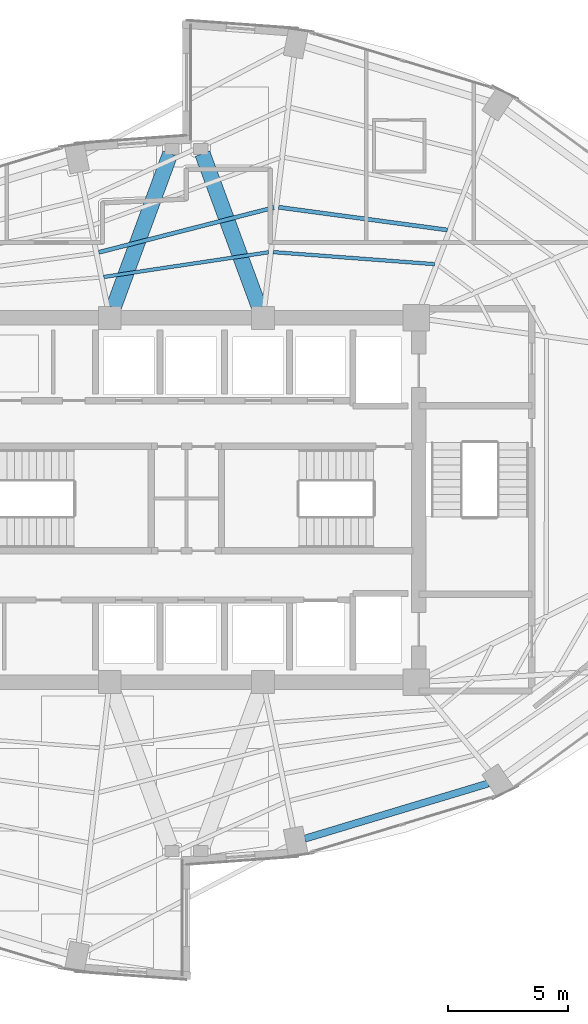
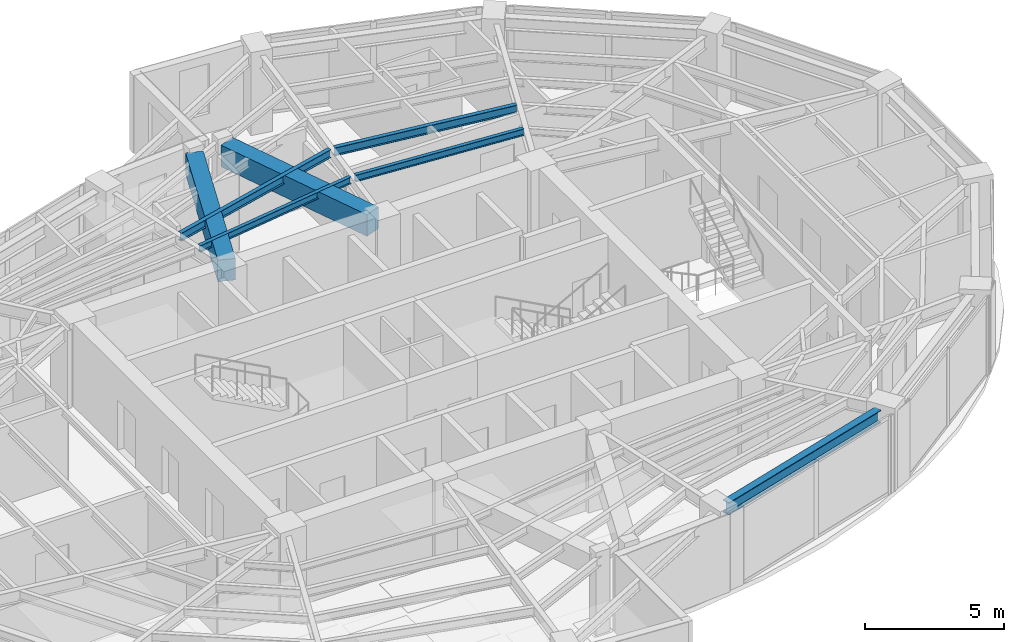
# One storey, part 8 of 20: 7 beams.
"""IFC4 building model written with IfcOpenShell, lengths in metres."""

from ifc_helpers import new_model, si_unit, direction, frame, origin, origin_2d, place, context, subcontext, project, spatial, rectangle, i_section, extrude, material, material_profile, profile_set, type_object, element, save


model = new_model("IFC4")

# Units and contexts
model_context = context("Model", 3, precision=1e-05, world=origin(), true_north=direction((0.0, 1.0)))
body_context = subcontext(model_context, "Body", "Model", "MODEL_VIEW")
ifc_project = project(units=[si_unit("LENGTHUNIT", "METRE"), si_unit("AREAUNIT", "SQUARE_METRE"), si_unit("VOLUMEUNIT", "CUBIC_METRE"), si_unit("PLANEANGLEUNIT", "RADIAN"), si_unit("MASSUNIT", "GRAM", prefix="KILO")], contexts=[model_context])

# Site, building, storey
site_placement = place(None, origin())
site = spatial("IfcSite", under=ifc_project, at=site_placement, CompositionType="ELEMENT")
building_placement = place(site_placement, origin())
building = spatial("IfcBuilding", under=site, at=building_placement, Name="Lazwardi Medical Tower", CompositionType="ELEMENT")
storey_placement = place(building_placement, frame((0.0, 0.0, 141.93603515625)))
storey = spatial("IfcBuildingStorey", under=building, at=storey_placement, Name="L36", CompositionType="ELEMENT", Elevation=141.93603515625)

# Beams
ifc_material_1 = material(Name="Concrete C60/75", Category="concrete")
ifc_material_profile_1 = material_profile(ifc_material_1, rectangle(XDim=0.64990234375, YDim=0.949951171875, at=origin_2d()), Name="RC 650x950")
ifc_profile_set_1 = profile_set([ifc_material_profile_1], Name="Concrete C60/75")
beam_type_1 = type_object("IfcBeamType", Name="BM-CB-RC2", PredefinedType="LINTEL", material=ifc_profile_set_1)
for number, where, z_axis, x_axis, name in (
    (1, (32.959228515625, 36.031494140625, 2.952880859375), (0.34601281054, 0.938229787921, 0.0), (-0.938229787921, 0.34601281054, 0.0), "Core coupling lintel CB-02 PL1 L36"),
    (2, (39.040771484375, 36.031494140625, 2.952880859375), (-0.34601281054, 0.938229787921, 0.0), (-0.938229787921, -0.34601281054, 0.0), "Core coupling lintel CB-02 PL2 L36"),
):
    element("IfcBeam", number, at=place(storey_placement, frame(where, z_axis=z_axis, x_axis=x_axis)), inside=storey, type_object=beam_type_1, Name=name, PredefinedType="LINTEL", context=body_context, shape_type="SweptSolid", body=[
        extrude(rectangle(XDim=0.64990234375, YDim=0.949951171875, at=origin_2d()), origin(), (0.0, 0.0, 1.0), 6.84423828125),
    ])
ifc_material_2 = material(Name="Steel S355", Category="steel")
ifc_material_profile_2 = material_profile(ifc_material_2, i_section(OverallWidth=0.300048828125, OverallDepth=0.550048828125, WebThickness=0.014892578125, FlangeThickness=0.029052734375, at=origin_2d()), Name="HEB 550")
ifc_profile_set_2 = profile_set([ifc_material_profile_2], Name="Steel S355")
beam_type_2 = type_object("IfcBeamType", Name="BM-RB-Z3", PredefinedType="BEAM", material=ifc_profile_set_2)
beam_1_placement = place(storey_placement, frame((40.943115234375, 13.866455078125, 3.153076171875), z_axis=(0.957616873483, 0.288045002771, 0.0), x_axis=(-0.288045002771, 0.957616873483, 0.0)))
element("IfcBeam", 3, at=beam_1_placement, inside=storey, type_object=beam_type_2, Name="Ring beam RB-04 B01 L36", PredefinedType="BEAM", context=body_context, shape_type="SweptSolid", body=[
    extrude(i_section(OverallWidth=0.300048828125, OverallDepth=0.550048828125, WebThickness=0.014892578125, FlangeThickness=0.029052734375, at=origin_2d()), origin(), (0.0, 0.0, 1.0), 7.99951171875),
])
ifc_material_profile_3 = material_profile(ifc_material_2, i_section(OverallWidth=0.169921875, OverallDepth=0.360107421875, WebThickness=0.008056640625, FlangeThickness=0.0126953125, at=origin_2d()), Name="IPE 360")
ifc_profile_set_3 = profile_set([ifc_material_profile_3], Name="Steel S355")
beam_type_3 = type_object("IfcBeamType", Name="BM-SJ-02", PredefinedType="JOIST", material=ifc_profile_set_3)
beam_2_placement = place(storey_placement, frame((46.889892578125, 39.269775390625, 3.248046875), z_axis=(-0.991056291961, 0.133444468468, 0.0), x_axis=(-0.133444468468, -0.991056291961, 0.0)))
element("IfcBeam", 4, at=beam_2_placement, inside=storey, type_object=beam_type_3, Name="Secondary joist SJ-02 R3 B07 L36", PredefinedType="JOIST", context=body_context, shape_type="SweptSolid", body=[
    extrude(i_section(OverallWidth=0.169921875, OverallDepth=0.360107421875, WebThickness=0.008056640625, FlangeThickness=0.0126953125, at=origin_2d()), origin(), (0.0, 0.0, 1.0), 7.10400390625),
])
beam_3_placement = place(storey_placement, frame((39.6533203125, 40.206298828125, 3.248046875), z_axis=(-0.96877632572, -0.247936344097, 0.0), x_axis=(0.247936344097, -0.96877632572, 0.0)))
element("IfcBeam", 5, at=beam_3_placement, inside=storey, type_object=beam_type_3, Name="Secondary joist SJ-02 R3 B08 L36", PredefinedType="JOIST", context=body_context, shape_type="SweptSolid", body=[
    extrude(i_section(OverallWidth=0.169921875, OverallDepth=0.360107421875, WebThickness=0.008056640625, FlangeThickness=0.0126953125, at=origin_2d()), origin(), (0.0, 0.0, 1.0), 7.546630859375),
])
ifc_material_profile_4 = material_profile(ifc_material_2, i_section(OverallWidth=0.14990234375, OverallDepth=0.300048828125, WebThickness=0.007080078125, FlangeThickness=0.0107421875, at=origin_2d()), Name="IPE 300")
ifc_profile_set_4 = profile_set([ifc_material_profile_4], Name="Steel S355")
beam_type_4 = type_object("IfcBeamType", Name="BM-SJ-03", PredefinedType="JOIST", material=ifc_profile_set_4)
beam_4_placement = place(storey_placement, frame((46.349609375, 37.843505859375, 3.278076171875), z_axis=(-0.99722699261, 0.074419924822, 0.0), x_axis=(-0.074419924822, -0.99722699261, 0.0)))
element("IfcBeam", 6, at=beam_4_placement, inside=storey, type_object=beam_type_4, Name="Secondary joist SJ-03 R4 B07 L36", PredefinedType="JOIST", context=body_context, shape_type="SweptSolid", body=[
    extrude(i_section(OverallWidth=0.14990234375, OverallDepth=0.300048828125, WebThickness=0.007080078125, FlangeThickness=0.0107421875, at=origin_2d()), origin(), (0.0, 0.0, 1.0), 6.74169921875),
])
beam_5_placement = place(storey_placement, frame((39.42822265625, 38.337890625, 3.278076171875), z_axis=(-0.98897469849, -0.148084589835, 0.0), x_axis=(0.148084589835, -0.98897469849, 0.0)))
element("IfcBeam", 7, at=beam_5_placement, inside=storey, type_object=beam_type_4, Name="Secondary joist SJ-03 R4 B08 L36", PredefinedType="JOIST", context=body_context, shape_type="SweptSolid", body=[
    extrude(i_section(OverallWidth=0.14990234375, OverallDepth=0.300048828125, WebThickness=0.007080078125, FlangeThickness=0.0107421875, at=origin_2d()), origin(), (0.0, 0.0, 1.0), 6.952392578125),
])

save(model, "model.ifc")
